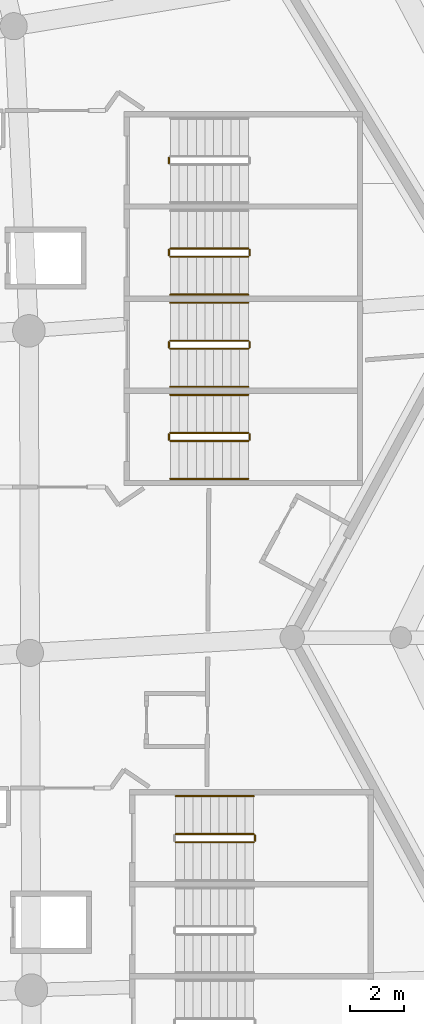
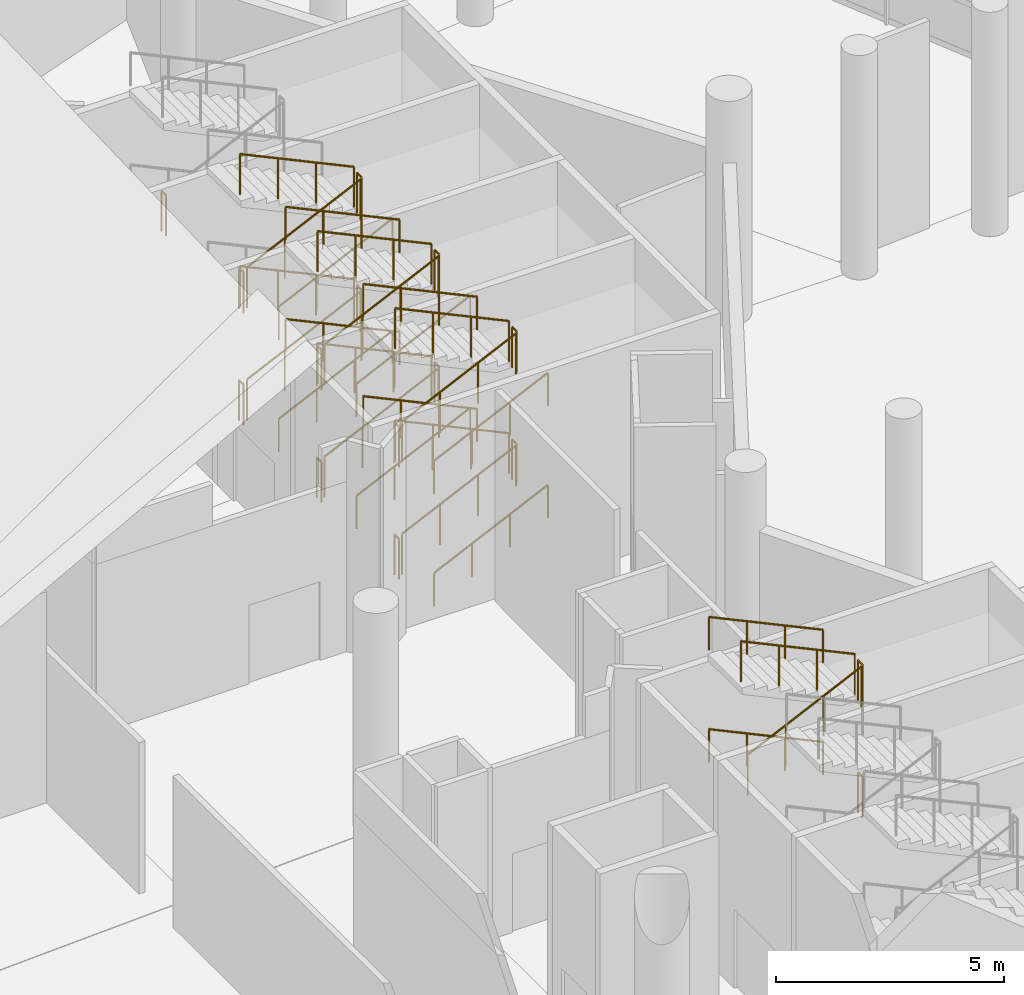
# One storey, part 242 of 249: 41 railings.
"""IFC4 building model written with IfcOpenShell, lengths in metres."""

from ifc_helpers import new_model, si_unit, direction, frame, origin, origin_2d, place, context, subcontext, project, spatial, circle, extrude, material, type_object, element, save


model = new_model("IFC4")

# Units and contexts
model_context = context("Model", 3, precision=1e-05, world=origin(), true_north=direction((0.0, 1.0)))
body_context = subcontext(model_context, "Body", "Model", "MODEL_VIEW")
ifc_project = project(units=[si_unit("LENGTHUNIT", "METRE"), si_unit("AREAUNIT", "SQUARE_METRE"), si_unit("VOLUMEUNIT", "CUBIC_METRE"), si_unit("PLANEANGLEUNIT", "RADIAN"), si_unit("MASSUNIT", "GRAM", prefix="KILO")], contexts=[model_context])

# Site, building, storey
site_placement = place(None, origin())
site = spatial("IfcSite", under=ifc_project, at=site_placement, CompositionType="ELEMENT")
building_placement = place(site_placement, origin())
building = spatial("IfcBuilding", under=site, at=building_placement, Name="Meseta Stadium", CompositionType="ELEMENT")
storey_placement = place(building_placement, frame((0.0, 0.0, 12.0)))
storey = spatial("IfcBuildingStorey", under=building, at=storey_placement, Name="L02", CompositionType="ELEMENT", Elevation=12.0)

# Railings
ifc_material_1 = material(Name="Steel S355", Category="steel")
railing_type_1 = type_object("IfcRailingType", Name="Stair guard 1100", PredefinedType="GUARDRAIL", material=ifc_material_1)
railing_1_placement = place(storey_placement, frame((93.22998046875, 23.75, 1.5)))
element("IfcRailing", 1, at=railing_1_placement, inside=storey, type_object=railing_type_1, Name="ST16 L02 guard 2", PredefinedType="GUARDRAIL", context=body_context, shape_type="SweptSolid", body=[
    extrude(circle(Radius=0.02392578125, at=origin_2d()), frame((0.0, 0.0, 1.076171875), z_axis=(0.0, 1.0, 0.0), x_axis=(-1.0, 0.0, 0.0)), (0.0, 0.0, 1.0), 0.199951171875),
    extrude(circle(Radius=0.02099609375, at=origin_2d()), origin(), (0.0, 0.0, 1.0), 1.052001953125),
    extrude(circle(Radius=0.02099609375, at=origin_2d()), frame((0.0, 0.199951171875, 0.0)), (0.0, 0.0, 1.0), 1.052001953125),
])
railing_2_placement = place(storey_placement, frame((90.300048828125, 23.699951171875, 3.14990234375)))
element("IfcRailing", 2, at=railing_2_placement, inside=storey, type_object=railing_type_1, Name="ST16 L02 guard 5", PredefinedType="GUARDRAIL", context=body_context, shape_type="SweptSolid", body=[
    extrude(circle(Radius=0.02392578125, at=origin_2d()), frame((0.0, 0.0, 1.076171875), z_axis=(0.905440498372, 0.0, 0.424473207528), x_axis=(0.0, 1.0, 0.0)), (0.0, 0.0, 1.0), 3.1806640625),
    extrude(circle(Radius=0.02099609375, at=origin_2d()), origin(), (0.0, 0.0, 1.0), 1.052001953125),
    extrude(circle(Radius=0.02099609375, at=origin_2d()), frame((0.9599609375, 0.0, 0.449951171875)), (0.0, 0.0, 1.0), 1.052001953125),
    extrude(circle(Radius=0.02099609375, at=origin_2d()), frame((1.919921875, 0.0, 0.900146484375)), (0.0, 0.0, 1.0), 1.052001953125),
    extrude(circle(Radius=0.02099609375, at=origin_2d()), frame((2.8798828125, 0.0, 1.35009765625)), (0.0, 0.0, 1.0), 1.052001953125),
])
railing_3_placement = place(storey_placement, frame((93.22998046875, 23.75, 4.5)))
element("IfcRailing", 3, at=railing_3_placement, inside=storey, type_object=railing_type_1, Name="ST16 L02 guard 6", PredefinedType="GUARDRAIL", context=body_context, shape_type="SweptSolid", body=[
    extrude(circle(Radius=0.02392578125, at=origin_2d()), frame((0.0, 0.0, 1.076171875), z_axis=(0.0, 1.0, 0.0), x_axis=(-1.0, 0.0, 0.0)), (0.0, 0.0, 1.0), 0.199951171875),
    extrude(circle(Radius=0.02099609375, at=origin_2d()), origin(), (0.0, 0.0, 1.0), 1.052001953125),
    extrude(circle(Radius=0.02099609375, at=origin_2d()), frame((0.0, 0.199951171875, 0.0)), (0.0, 0.0, 1.0), 1.052001953125),
])
railing_4_placement = place(storey_placement, frame((93.179931640625, 24.0, 4.64990234375)))
element("IfcRailing", 4, at=railing_4_placement, inside=storey, type_object=railing_type_1, Name="ST16 L02 guard 7", PredefinedType="GUARDRAIL", context=body_context, shape_type="SweptSolid", body=[
    extrude(circle(Radius=0.02392578125, at=origin_2d()), frame((0.0, 0.0, 1.076171875), z_axis=(-0.905440498372, 0.0, 0.424473207528), x_axis=(0.0, -1.0, 0.0)), (0.0, 0.0, 1.0), 3.1806640625),
    extrude(circle(Radius=0.02099609375, at=origin_2d()), origin(), (0.0, 0.0, 1.0), 1.052001953125),
    extrude(circle(Radius=0.02099609375, at=origin_2d()), frame((-0.9599609375, 0.0, 0.449951171875)), (0.0, 0.0, 1.0), 1.052001953125),
    extrude(circle(Radius=0.02099609375, at=origin_2d()), frame((-1.919921875, 0.0, 0.900146484375)), (0.0, 0.0, 1.0), 1.052001953125),
    extrude(circle(Radius=0.02099609375, at=origin_2d()), frame((-2.8798828125, 0.0, 1.35009765625)), (0.0, 0.0, 1.0), 1.052001953125),
])
railing_5_placement = place(storey_placement, frame((90.10009765625, 38.5, 0.14990234375)))
element("IfcRailing", 5, at=railing_5_placement, inside=storey, type_object=railing_type_1, Name="ST17 L02 guard 1", PredefinedType="GUARDRAIL", context=body_context, shape_type="SweptSolid", body=[
    extrude(circle(Radius=0.02392578125, at=origin_2d()), frame((0.0, 0.0, 1.076171875), z_axis=(0.905440498372, 0.0, 0.424473207528), x_axis=(0.0, 1.0, 0.0)), (0.0, 0.0, 1.0), 3.1806640625),
    extrude(circle(Radius=0.02099609375, at=origin_2d()), origin(), (0.0, 0.0, 1.0), 1.052001953125),
    extrude(circle(Radius=0.02099609375, at=origin_2d()), frame((0.9599609375, 0.0, 0.449951171875)), (0.0, 0.0, 1.0), 1.052001953125),
    extrude(circle(Radius=0.02099609375, at=origin_2d()), frame((1.919921875, 0.0, 0.900146484375)), (0.0, 0.0, 1.0), 1.052001953125),
    extrude(circle(Radius=0.02099609375, at=origin_2d()), frame((2.8798828125, 0.0, 1.35009765625)), (0.0, 0.0, 1.0), 1.052001953125),
])
railing_6_placement = place(storey_placement, frame((93.030029296875, 38.550048828125, 1.5)))
element("IfcRailing", 6, at=railing_6_placement, inside=storey, type_object=railing_type_1, Name="ST17 L02 guard 2", PredefinedType="GUARDRAIL", context=body_context, shape_type="SweptSolid", body=[
    extrude(circle(Radius=0.02392578125, at=origin_2d()), frame((0.0, 0.0, 1.076171875), z_axis=(0.0, 1.0, 0.0), x_axis=(-1.0, 0.0, 0.0)), (0.0, 0.0, 1.0), 0.199951171875),
    extrude(circle(Radius=0.02099609375, at=origin_2d()), origin(), (0.0, 0.0, 1.0), 1.052001953125),
    extrude(circle(Radius=0.02099609375, at=origin_2d()), frame((0.0, 0.199951171875, 0.0)), (0.0, 0.0, 1.0), 1.052001953125),
])
railing_7_placement = place(storey_placement, frame((92.97998046875, 38.800048828125, 1.64990234375)))
element("IfcRailing", 7, at=railing_7_placement, inside=storey, type_object=railing_type_1, Name="ST17 L02 guard 3", PredefinedType="GUARDRAIL", context=body_context, shape_type="SweptSolid", body=[
    extrude(circle(Radius=0.02392578125, at=origin_2d()), frame((0.0, 0.0, 1.076171875), z_axis=(-0.905440498372, 0.0, 0.424473207528), x_axis=(0.0, -1.0, 0.0)), (0.0, 0.0, 1.0), 3.1806640625),
    extrude(circle(Radius=0.02099609375, at=origin_2d()), origin(), (0.0, 0.0, 1.0), 1.052001953125),
    extrude(circle(Radius=0.02099609375, at=origin_2d()), frame((-0.9599609375, 0.0, 0.449951171875)), (0.0, 0.0, 1.0), 1.052001953125),
    extrude(circle(Radius=0.02099609375, at=origin_2d()), frame((-1.919921875, 0.0, 0.900146484375)), (0.0, 0.0, 1.0), 1.052001953125),
    extrude(circle(Radius=0.02099609375, at=origin_2d()), frame((-2.8798828125, 0.0, 1.35009765625)), (0.0, 0.0, 1.0), 1.052001953125),
])
railing_8_placement = place(storey_placement, frame((90.050048828125, 38.550048828125, 3.0)))
element("IfcRailing", 8, at=railing_8_placement, inside=storey, type_object=railing_type_1, Name="ST17 L02 guard 4", PredefinedType="GUARDRAIL", context=body_context, shape_type="SweptSolid", body=[
    extrude(circle(Radius=0.02392578125, at=origin_2d()), frame((0.0, 0.0, 1.076171875), z_axis=(0.0, 1.0, 0.0), x_axis=(-1.0, 0.0, 0.0)), (0.0, 0.0, 1.0), 0.199951171875),
    extrude(circle(Radius=0.02099609375, at=origin_2d()), origin(), (0.0, 0.0, 1.0), 1.052001953125),
    extrude(circle(Radius=0.02099609375, at=origin_2d()), frame((0.0, 0.199951171875, 0.0)), (0.0, 0.0, 1.0), 1.052001953125),
])
railing_9_placement = place(storey_placement, frame((90.10009765625, 38.5, 3.14990234375)))
element("IfcRailing", 9, at=railing_9_placement, inside=storey, type_object=railing_type_1, Name="ST17 L02 guard 5", PredefinedType="GUARDRAIL", context=body_context, shape_type="SweptSolid", body=[
    extrude(circle(Radius=0.02392578125, at=origin_2d()), frame((0.0, 0.0, 1.076171875), z_axis=(0.905440498372, 0.0, 0.424473207528), x_axis=(0.0, 1.0, 0.0)), (0.0, 0.0, 1.0), 3.1806640625),
    extrude(circle(Radius=0.02099609375, at=origin_2d()), origin(), (0.0, 0.0, 1.0), 1.052001953125),
    extrude(circle(Radius=0.02099609375, at=origin_2d()), frame((0.9599609375, 0.0, 0.449951171875)), (0.0, 0.0, 1.0), 1.052001953125),
    extrude(circle(Radius=0.02099609375, at=origin_2d()), frame((1.919921875, 0.0, 0.900146484375)), (0.0, 0.0, 1.0), 1.052001953125),
    extrude(circle(Radius=0.02099609375, at=origin_2d()), frame((2.8798828125, 0.0, 1.35009765625)), (0.0, 0.0, 1.0), 1.052001953125),
])
railing_10_placement = place(storey_placement, frame((93.030029296875, 38.550048828125, 4.5)))
element("IfcRailing", 10, at=railing_10_placement, inside=storey, type_object=railing_type_1, Name="ST17 L02 guard 6", PredefinedType="GUARDRAIL", context=body_context, shape_type="SweptSolid", body=[
    extrude(circle(Radius=0.02392578125, at=origin_2d()), frame((0.0, 0.0, 1.076171875), z_axis=(0.0, 1.0, 0.0), x_axis=(-1.0, 0.0, 0.0)), (0.0, 0.0, 1.0), 0.199951171875),
    extrude(circle(Radius=0.02099609375, at=origin_2d()), origin(), (0.0, 0.0, 1.0), 1.052001953125),
    extrude(circle(Radius=0.02099609375, at=origin_2d()), frame((0.0, 0.199951171875, 0.0)), (0.0, 0.0, 1.0), 1.052001953125),
])
railing_11_placement = place(storey_placement, frame((92.97998046875, 38.800048828125, 4.64990234375)))
element("IfcRailing", 11, at=railing_11_placement, inside=storey, type_object=railing_type_1, Name="ST17 L02 guard 7", PredefinedType="GUARDRAIL", context=body_context, shape_type="SweptSolid", body=[
    extrude(circle(Radius=0.02392578125, at=origin_2d()), frame((0.0, 0.0, 1.076171875), z_axis=(-0.905440498372, 0.0, 0.424473207528), x_axis=(0.0, -1.0, 0.0)), (0.0, 0.0, 1.0), 3.1806640625),
    extrude(circle(Radius=0.02099609375, at=origin_2d()), origin(), (0.0, 0.0, 1.0), 1.052001953125),
    extrude(circle(Radius=0.02099609375, at=origin_2d()), frame((-0.9599609375, 0.0, 0.449951171875)), (0.0, 0.0, 1.0), 1.052001953125),
    extrude(circle(Radius=0.02099609375, at=origin_2d()), frame((-1.919921875, 0.0, 0.900146484375)), (0.0, 0.0, 1.0), 1.052001953125),
    extrude(circle(Radius=0.02099609375, at=origin_2d()), frame((-2.8798828125, 0.0, 1.35009765625)), (0.0, 0.0, 1.0), 1.052001953125),
])
railing_12_placement = place(storey_placement, frame((90.050048828125, 38.550048828125, 0.0)))
element("IfcRailing", 12, at=railing_12_placement, inside=storey, type_object=railing_type_1, Name="ST17 L02 guard 8", PredefinedType="GUARDRAIL", context=body_context, shape_type="SweptSolid", body=[
    extrude(circle(Radius=0.02392578125, at=origin_2d()), frame((0.0, 0.0, 1.076171875), z_axis=(0.0, 1.0, 0.0), x_axis=(-1.0, 0.0, 0.0)), (0.0, 0.0, 1.0), 0.199951171875),
    extrude(circle(Radius=0.02099609375, at=origin_2d()), origin(), (0.0, 0.0, 1.0), 1.052001953125),
    extrude(circle(Radius=0.02099609375, at=origin_2d()), frame((0.0, 0.199951171875, 0.0)), (0.0, 0.0, 1.0), 1.052001953125),
])
railing_13_placement = place(storey_placement, frame((90.10009765625, 41.89990234375, 0.14990234375)))
element("IfcRailing", 13, at=railing_13_placement, inside=storey, type_object=railing_type_1, Name="ST18 L02 guard 1", PredefinedType="GUARDRAIL", context=body_context, shape_type="SweptSolid", body=[
    extrude(circle(Radius=0.02392578125, at=origin_2d()), frame((0.0, 0.0, 1.076171875), z_axis=(0.905440498372, 0.0, 0.424473207528), x_axis=(0.0, 1.0, 0.0)), (0.0, 0.0, 1.0), 3.1806640625),
    extrude(circle(Radius=0.02099609375, at=origin_2d()), origin(), (0.0, 0.0, 1.0), 1.052001953125),
    extrude(circle(Radius=0.02099609375, at=origin_2d()), frame((0.9599609375, 0.0, 0.449951171875)), (0.0, 0.0, 1.0), 1.052001953125),
    extrude(circle(Radius=0.02099609375, at=origin_2d()), frame((1.919921875, 0.0, 0.900146484375)), (0.0, 0.0, 1.0), 1.052001953125),
    extrude(circle(Radius=0.02099609375, at=origin_2d()), frame((2.8798828125, 0.0, 1.35009765625)), (0.0, 0.0, 1.0), 1.052001953125),
])
railing_14_placement = place(storey_placement, frame((93.030029296875, 41.949951171875, 1.5)))
element("IfcRailing", 14, at=railing_14_placement, inside=storey, type_object=railing_type_1, Name="ST18 L02 guard 2", PredefinedType="GUARDRAIL", context=body_context, shape_type="SweptSolid", body=[
    extrude(circle(Radius=0.02392578125, at=origin_2d()), frame((0.0, 0.0, 1.076171875), z_axis=(0.0, 1.0, 0.0), x_axis=(-1.0, 0.0, 0.0)), (0.0, 0.0, 1.0), 0.199951171875),
    extrude(circle(Radius=0.02099609375, at=origin_2d()), origin(), (0.0, 0.0, 1.0), 1.052001953125),
    extrude(circle(Radius=0.02099609375, at=origin_2d()), frame((0.0, 0.199951171875, 0.0)), (0.0, 0.0, 1.0), 1.052001953125),
])
railing_15_placement = place(storey_placement, frame((92.97998046875, 42.199951171875, 1.64990234375)))
element("IfcRailing", 15, at=railing_15_placement, inside=storey, type_object=railing_type_1, Name="ST18 L02 guard 3", PredefinedType="GUARDRAIL", context=body_context, shape_type="SweptSolid", body=[
    extrude(circle(Radius=0.02392578125, at=origin_2d()), frame((0.0, 0.0, 1.076171875), z_axis=(-0.905440498372, 0.0, 0.424473207528), x_axis=(0.0, -1.0, 0.0)), (0.0, 0.0, 1.0), 3.1806640625),
    extrude(circle(Radius=0.02099609375, at=origin_2d()), origin(), (0.0, 0.0, 1.0), 1.052001953125),
    extrude(circle(Radius=0.02099609375, at=origin_2d()), frame((-0.9599609375, 0.0, 0.449951171875)), (0.0, 0.0, 1.0), 1.052001953125),
    extrude(circle(Radius=0.02099609375, at=origin_2d()), frame((-1.919921875, 0.0, 0.900146484375)), (0.0, 0.0, 1.0), 1.052001953125),
    extrude(circle(Radius=0.02099609375, at=origin_2d()), frame((-2.8798828125, 0.0, 1.35009765625)), (0.0, 0.0, 1.0), 1.052001953125),
])
railing_16_placement = place(storey_placement, frame((90.050048828125, 41.949951171875, 3.0)))
element("IfcRailing", 16, at=railing_16_placement, inside=storey, type_object=railing_type_1, Name="ST18 L02 guard 4", PredefinedType="GUARDRAIL", context=body_context, shape_type="SweptSolid", body=[
    extrude(circle(Radius=0.02392578125, at=origin_2d()), frame((0.0, 0.0, 1.076171875), z_axis=(0.0, 1.0, 0.0), x_axis=(-1.0, 0.0, 0.0)), (0.0, 0.0, 1.0), 0.199951171875),
    extrude(circle(Radius=0.02099609375, at=origin_2d()), origin(), (0.0, 0.0, 1.0), 1.052001953125),
    extrude(circle(Radius=0.02099609375, at=origin_2d()), frame((0.0, 0.199951171875, 0.0)), (0.0, 0.0, 1.0), 1.052001953125),
])
railing_17_placement = place(storey_placement, frame((90.10009765625, 41.89990234375, 3.14990234375)))
element("IfcRailing", 17, at=railing_17_placement, inside=storey, type_object=railing_type_1, Name="ST18 L02 guard 5", PredefinedType="GUARDRAIL", context=body_context, shape_type="SweptSolid", body=[
    extrude(circle(Radius=0.02392578125, at=origin_2d()), frame((0.0, 0.0, 1.076171875), z_axis=(0.905440498372, 0.0, 0.424473207528), x_axis=(0.0, 1.0, 0.0)), (0.0, 0.0, 1.0), 3.1806640625),
    extrude(circle(Radius=0.02099609375, at=origin_2d()), origin(), (0.0, 0.0, 1.0), 1.052001953125),
    extrude(circle(Radius=0.02099609375, at=origin_2d()), frame((0.9599609375, 0.0, 0.449951171875)), (0.0, 0.0, 1.0), 1.052001953125),
    extrude(circle(Radius=0.02099609375, at=origin_2d()), frame((1.919921875, 0.0, 0.900146484375)), (0.0, 0.0, 1.0), 1.052001953125),
    extrude(circle(Radius=0.02099609375, at=origin_2d()), frame((2.8798828125, 0.0, 1.35009765625)), (0.0, 0.0, 1.0), 1.052001953125),
])
railing_18_placement = place(storey_placement, frame((93.030029296875, 41.949951171875, 4.5)))
element("IfcRailing", 18, at=railing_18_placement, inside=storey, type_object=railing_type_1, Name="ST18 L02 guard 6", PredefinedType="GUARDRAIL", context=body_context, shape_type="SweptSolid", body=[
    extrude(circle(Radius=0.02392578125, at=origin_2d()), frame((0.0, 0.0, 1.076171875), z_axis=(0.0, 1.0, 0.0), x_axis=(-1.0, 0.0, 0.0)), (0.0, 0.0, 1.0), 0.199951171875),
    extrude(circle(Radius=0.02099609375, at=origin_2d()), origin(), (0.0, 0.0, 1.0), 1.052001953125),
    extrude(circle(Radius=0.02099609375, at=origin_2d()), frame((0.0, 0.199951171875, 0.0)), (0.0, 0.0, 1.0), 1.052001953125),
])
railing_19_placement = place(storey_placement, frame((92.97998046875, 42.199951171875, 4.64990234375)))
element("IfcRailing", 19, at=railing_19_placement, inside=storey, type_object=railing_type_1, Name="ST18 L02 guard 7", PredefinedType="GUARDRAIL", context=body_context, shape_type="SweptSolid", body=[
    extrude(circle(Radius=0.02392578125, at=origin_2d()), frame((0.0, 0.0, 1.076171875), z_axis=(-0.905440498372, 0.0, 0.424473207528), x_axis=(0.0, -1.0, 0.0)), (0.0, 0.0, 1.0), 3.1806640625),
    extrude(circle(Radius=0.02099609375, at=origin_2d()), origin(), (0.0, 0.0, 1.0), 1.052001953125),
    extrude(circle(Radius=0.02099609375, at=origin_2d()), frame((-0.9599609375, 0.0, 0.449951171875)), (0.0, 0.0, 1.0), 1.052001953125),
    extrude(circle(Radius=0.02099609375, at=origin_2d()), frame((-1.919921875, 0.0, 0.900146484375)), (0.0, 0.0, 1.0), 1.052001953125),
    extrude(circle(Radius=0.02099609375, at=origin_2d()), frame((-2.8798828125, 0.0, 1.35009765625)), (0.0, 0.0, 1.0), 1.052001953125),
])
railing_20_placement = place(storey_placement, frame((90.050048828125, 41.949951171875, 0.0)))
element("IfcRailing", 20, at=railing_20_placement, inside=storey, type_object=railing_type_1, Name="ST18 L02 guard 8", PredefinedType="GUARDRAIL", context=body_context, shape_type="SweptSolid", body=[
    extrude(circle(Radius=0.02392578125, at=origin_2d()), frame((0.0, 0.0, 1.076171875), z_axis=(0.0, 1.0, 0.0), x_axis=(-1.0, 0.0, 0.0)), (0.0, 0.0, 1.0), 0.199951171875),
    extrude(circle(Radius=0.02099609375, at=origin_2d()), origin(), (0.0, 0.0, 1.0), 1.052001953125),
    extrude(circle(Radius=0.02099609375, at=origin_2d()), frame((0.0, 0.199951171875, 0.0)), (0.0, 0.0, 1.0), 1.052001953125),
])
railing_21_placement = place(storey_placement, frame((90.10009765625, 45.300048828125, 0.14990234375)))
element("IfcRailing", 21, at=railing_21_placement, inside=storey, type_object=railing_type_1, Name="ST19 L02 guard 1", PredefinedType="GUARDRAIL", context=body_context, shape_type="SweptSolid", body=[
    extrude(circle(Radius=0.02392578125, at=origin_2d()), frame((0.0, 0.0, 1.076171875), z_axis=(0.905440498372, 0.0, 0.424473207528), x_axis=(0.0, 1.0, 0.0)), (0.0, 0.0, 1.0), 3.1806640625),
    extrude(circle(Radius=0.02099609375, at=origin_2d()), origin(), (0.0, 0.0, 1.0), 1.052001953125),
    extrude(circle(Radius=0.02099609375, at=origin_2d()), frame((0.9599609375, 0.0, 0.449951171875)), (0.0, 0.0, 1.0), 1.052001953125),
    extrude(circle(Radius=0.02099609375, at=origin_2d()), frame((1.919921875, 0.0, 0.900146484375)), (0.0, 0.0, 1.0), 1.052001953125),
    extrude(circle(Radius=0.02099609375, at=origin_2d()), frame((2.8798828125, 0.0, 1.35009765625)), (0.0, 0.0, 1.0), 1.052001953125),
])
railing_22_placement = place(storey_placement, frame((93.030029296875, 45.35009765625, 1.5)))
element("IfcRailing", 22, at=railing_22_placement, inside=storey, type_object=railing_type_1, Name="ST19 L02 guard 2", PredefinedType="GUARDRAIL", context=body_context, shape_type="SweptSolid", body=[
    extrude(circle(Radius=0.02392578125, at=origin_2d()), frame((0.0, 0.0, 1.076171875), z_axis=(0.0, 1.0, 0.0), x_axis=(-1.0, 0.0, 0.0)), (0.0, 0.0, 1.0), 0.199951171875),
    extrude(circle(Radius=0.02099609375, at=origin_2d()), origin(), (0.0, 0.0, 1.0), 1.052001953125),
    extrude(circle(Radius=0.02099609375, at=origin_2d()), frame((0.0, 0.199951171875, 0.0)), (0.0, 0.0, 1.0), 1.052001953125),
])
railing_23_placement = place(storey_placement, frame((92.97998046875, 45.60009765625, 1.64990234375)))
element("IfcRailing", 23, at=railing_23_placement, inside=storey, type_object=railing_type_1, Name="ST19 L02 guard 3", PredefinedType="GUARDRAIL", context=body_context, shape_type="SweptSolid", body=[
    extrude(circle(Radius=0.02392578125, at=origin_2d()), frame((0.0, 0.0, 1.076171875), z_axis=(-0.905440498372, 0.0, 0.424473207528), x_axis=(0.0, -1.0, 0.0)), (0.0, 0.0, 1.0), 3.1806640625),
    extrude(circle(Radius=0.02099609375, at=origin_2d()), origin(), (0.0, 0.0, 1.0), 1.052001953125),
    extrude(circle(Radius=0.02099609375, at=origin_2d()), frame((-0.9599609375, 0.0, 0.449951171875)), (0.0, 0.0, 1.0), 1.052001953125),
    extrude(circle(Radius=0.02099609375, at=origin_2d()), frame((-1.919921875, 0.0, 0.900146484375)), (0.0, 0.0, 1.0), 1.052001953125),
    extrude(circle(Radius=0.02099609375, at=origin_2d()), frame((-2.8798828125, 0.0, 1.35009765625)), (0.0, 0.0, 1.0), 1.052001953125),
])
railing_24_placement = place(storey_placement, frame((90.050048828125, 45.35009765625, 3.0)))
element("IfcRailing", 24, at=railing_24_placement, inside=storey, type_object=railing_type_1, Name="ST19 L02 guard 4", PredefinedType="GUARDRAIL", context=body_context, shape_type="SweptSolid", body=[
    extrude(circle(Radius=0.02392578125, at=origin_2d()), frame((0.0, 0.0, 1.076171875), z_axis=(0.0, 1.0, 0.0), x_axis=(-1.0, 0.0, 0.0)), (0.0, 0.0, 1.0), 0.199951171875),
    extrude(circle(Radius=0.02099609375, at=origin_2d()), origin(), (0.0, 0.0, 1.0), 1.052001953125),
    extrude(circle(Radius=0.02099609375, at=origin_2d()), frame((0.0, 0.199951171875, 0.0)), (0.0, 0.0, 1.0), 1.052001953125),
])
railing_25_placement = place(storey_placement, frame((90.10009765625, 45.300048828125, 3.14990234375)))
element("IfcRailing", 25, at=railing_25_placement, inside=storey, type_object=railing_type_1, Name="ST19 L02 guard 5", PredefinedType="GUARDRAIL", context=body_context, shape_type="SweptSolid", body=[
    extrude(circle(Radius=0.02392578125, at=origin_2d()), frame((0.0, 0.0, 1.076171875), z_axis=(0.905440498372, 0.0, 0.424473207528), x_axis=(0.0, 1.0, 0.0)), (0.0, 0.0, 1.0), 3.1806640625),
    extrude(circle(Radius=0.02099609375, at=origin_2d()), origin(), (0.0, 0.0, 1.0), 1.052001953125),
    extrude(circle(Radius=0.02099609375, at=origin_2d()), frame((0.9599609375, 0.0, 0.449951171875)), (0.0, 0.0, 1.0), 1.052001953125),
    extrude(circle(Radius=0.02099609375, at=origin_2d()), frame((1.919921875, 0.0, 0.900146484375)), (0.0, 0.0, 1.0), 1.052001953125),
    extrude(circle(Radius=0.02099609375, at=origin_2d()), frame((2.8798828125, 0.0, 1.35009765625)), (0.0, 0.0, 1.0), 1.052001953125),
])
railing_26_placement = place(storey_placement, frame((93.030029296875, 45.35009765625, 4.5)))
element("IfcRailing", 26, at=railing_26_placement, inside=storey, type_object=railing_type_1, Name="ST19 L02 guard 6", PredefinedType="GUARDRAIL", context=body_context, shape_type="SweptSolid", body=[
    extrude(circle(Radius=0.02392578125, at=origin_2d()), frame((0.0, 0.0, 1.076171875), z_axis=(0.0, 1.0, 0.0), x_axis=(-1.0, 0.0, 0.0)), (0.0, 0.0, 1.0), 0.199951171875),
    extrude(circle(Radius=0.02099609375, at=origin_2d()), origin(), (0.0, 0.0, 1.0), 1.052001953125),
    extrude(circle(Radius=0.02099609375, at=origin_2d()), frame((0.0, 0.199951171875, 0.0)), (0.0, 0.0, 1.0), 1.052001953125),
])
railing_27_placement = place(storey_placement, frame((92.97998046875, 45.60009765625, 4.64990234375)))
element("IfcRailing", 27, at=railing_27_placement, inside=storey, type_object=railing_type_1, Name="ST19 L02 guard 7", PredefinedType="GUARDRAIL", context=body_context, shape_type="SweptSolid", body=[
    extrude(circle(Radius=0.02392578125, at=origin_2d()), frame((0.0, 0.0, 1.076171875), z_axis=(-0.905440498372, 0.0, 0.424473207528), x_axis=(0.0, -1.0, 0.0)), (0.0, 0.0, 1.0), 3.1806640625),
    extrude(circle(Radius=0.02099609375, at=origin_2d()), origin(), (0.0, 0.0, 1.0), 1.052001953125),
    extrude(circle(Radius=0.02099609375, at=origin_2d()), frame((-0.9599609375, 0.0, 0.449951171875)), (0.0, 0.0, 1.0), 1.052001953125),
    extrude(circle(Radius=0.02099609375, at=origin_2d()), frame((-1.919921875, 0.0, 0.900146484375)), (0.0, 0.0, 1.0), 1.052001953125),
    extrude(circle(Radius=0.02099609375, at=origin_2d()), frame((-2.8798828125, 0.0, 1.35009765625)), (0.0, 0.0, 1.0), 1.052001953125),
])
for number, where, name in (
    (28, (90.050048828125, 45.35009765625, 0.0), "ST19 L02 guard 8"),
    (29, (90.050048828125, 48.75, 3.0), "ST20 L02 guard 4"),
):
    element("IfcRailing", number, at=place(storey_placement, frame(where)), inside=storey, type_object=railing_type_1, Name=name, PredefinedType="GUARDRAIL", context=body_context, shape_type="SweptSolid", body=[
        extrude(circle(Radius=0.02392578125, at=origin_2d()), frame((0.0, 0.0, 1.076171875), z_axis=(0.0, 1.0, 0.0), x_axis=(-1.0, 0.0, 0.0)), (0.0, 0.0, 1.0), 0.199951171875),
        extrude(circle(Radius=0.02099609375, at=origin_2d()), origin(), (0.0, 0.0, 1.0), 1.052001953125),
        extrude(circle(Radius=0.02099609375, at=origin_2d()), frame((0.0, 0.199951171875, 0.0)), (0.0, 0.0, 1.0), 1.052001953125),
    ])
ifc_material_2 = material(Name="Steel S355", Category="steel")
railing_type_2 = type_object("IfcRailingType", Name="Stair handrail 900", PredefinedType="HANDRAIL", material=ifc_material_2)
for number, where, name in (
    (30, (93.179931640625, 25.39990234375, 1.64990234375), "ST16 L02 handrail 2"),
    (31, (93.179931640625, 25.39990234375, 4.64990234375), "ST16 L02 handrail 4"),
):
    element("IfcRailing", number, at=place(storey_placement, frame(where)), inside=storey, type_object=railing_type_2, Name=name, PredefinedType="HANDRAIL", context=body_context, shape_type="SweptSolid", body=[
        extrude(circle(Radius=0.02392578125, at=origin_2d()), frame((0.0, 0.0, 0.8759765625), z_axis=(-0.905440498372, 0.0, 0.424473207528), x_axis=(0.0, -1.0, 0.0)), (0.0, 0.0, 1.0), 3.1806640625),
        extrude(circle(Radius=0.02099609375, at=origin_2d()), origin(), (0.0, 0.0, 1.0), 0.851806640625),
        extrude(circle(Radius=0.02099609375, at=origin_2d()), frame((-0.9599609375, 0.0, 0.449951171875)), (0.0, 0.0, 1.0), 0.851806640625),
        extrude(circle(Radius=0.02099609375, at=origin_2d()), frame((-1.919921875, 0.0, 0.900146484375)), (0.0, 0.0, 1.0), 0.851806640625),
        extrude(circle(Radius=0.02099609375, at=origin_2d()), frame((-2.8798828125, 0.0, 1.35009765625)), (0.0, 0.0, 1.0), 0.851806640625),
    ])
railing_28_placement = place(storey_placement, frame((90.10009765625, 37.10009765625, 0.14990234375)))
element("IfcRailing", 32, at=railing_28_placement, inside=storey, type_object=railing_type_2, Name="ST17 L02 handrail 1", PredefinedType="HANDRAIL", context=body_context, shape_type="SweptSolid", body=[
    extrude(circle(Radius=0.02392578125, at=origin_2d()), frame((0.0, 0.0, 0.8759765625), z_axis=(0.905440498372, 0.0, 0.424473207528), x_axis=(0.0, 1.0, 0.0)), (0.0, 0.0, 1.0), 3.1806640625),
    extrude(circle(Radius=0.02099609375, at=origin_2d()), origin(), (0.0, 0.0, 1.0), 0.851806640625),
    extrude(circle(Radius=0.02099609375, at=origin_2d()), frame((0.9599609375, 0.0, 0.449951171875)), (0.0, 0.0, 1.0), 0.851806640625),
    extrude(circle(Radius=0.02099609375, at=origin_2d()), frame((1.919921875, 0.0, 0.900146484375)), (0.0, 0.0, 1.0), 0.851806640625),
    extrude(circle(Radius=0.02099609375, at=origin_2d()), frame((2.8798828125, 0.0, 1.35009765625)), (0.0, 0.0, 1.0), 0.851806640625),
])
railing_29_placement = place(storey_placement, frame((92.97998046875, 40.199951171875, 1.64990234375)))
element("IfcRailing", 33, at=railing_29_placement, inside=storey, type_object=railing_type_2, Name="ST17 L02 handrail 2", PredefinedType="HANDRAIL", context=body_context, shape_type="SweptSolid", body=[
    extrude(circle(Radius=0.02392578125, at=origin_2d()), frame((0.0, 0.0, 0.8759765625), z_axis=(-0.905440498372, 0.0, 0.424473207528), x_axis=(0.0, -1.0, 0.0)), (0.0, 0.0, 1.0), 3.1806640625),
    extrude(circle(Radius=0.02099609375, at=origin_2d()), origin(), (0.0, 0.0, 1.0), 0.851806640625),
    extrude(circle(Radius=0.02099609375, at=origin_2d()), frame((-0.9599609375, 0.0, 0.449951171875)), (0.0, 0.0, 1.0), 0.851806640625),
    extrude(circle(Radius=0.02099609375, at=origin_2d()), frame((-1.919921875, 0.0, 0.900146484375)), (0.0, 0.0, 1.0), 0.851806640625),
    extrude(circle(Radius=0.02099609375, at=origin_2d()), frame((-2.8798828125, 0.0, 1.35009765625)), (0.0, 0.0, 1.0), 0.851806640625),
])
railing_30_placement = place(storey_placement, frame((90.10009765625, 37.10009765625, 3.14990234375)))
element("IfcRailing", 34, at=railing_30_placement, inside=storey, type_object=railing_type_2, Name="ST17 L02 handrail 3", PredefinedType="HANDRAIL", context=body_context, shape_type="SweptSolid", body=[
    extrude(circle(Radius=0.02392578125, at=origin_2d()), frame((0.0, 0.0, 0.8759765625), z_axis=(0.905440498372, 0.0, 0.424473207528), x_axis=(0.0, 1.0, 0.0)), (0.0, 0.0, 1.0), 3.1806640625),
    extrude(circle(Radius=0.02099609375, at=origin_2d()), origin(), (0.0, 0.0, 1.0), 0.851806640625),
    extrude(circle(Radius=0.02099609375, at=origin_2d()), frame((0.9599609375, 0.0, 0.449951171875)), (0.0, 0.0, 1.0), 0.851806640625),
    extrude(circle(Radius=0.02099609375, at=origin_2d()), frame((1.919921875, 0.0, 0.900146484375)), (0.0, 0.0, 1.0), 0.851806640625),
    extrude(circle(Radius=0.02099609375, at=origin_2d()), frame((2.8798828125, 0.0, 1.35009765625)), (0.0, 0.0, 1.0), 0.851806640625),
])
railing_31_placement = place(storey_placement, frame((92.97998046875, 40.199951171875, 4.64990234375)))
element("IfcRailing", 35, at=railing_31_placement, inside=storey, type_object=railing_type_2, Name="ST17 L02 handrail 4", PredefinedType="HANDRAIL", context=body_context, shape_type="SweptSolid", body=[
    extrude(circle(Radius=0.02392578125, at=origin_2d()), frame((0.0, 0.0, 0.8759765625), z_axis=(-0.905440498372, 0.0, 0.424473207528), x_axis=(0.0, -1.0, 0.0)), (0.0, 0.0, 1.0), 3.1806640625),
    extrude(circle(Radius=0.02099609375, at=origin_2d()), origin(), (0.0, 0.0, 1.0), 0.851806640625),
    extrude(circle(Radius=0.02099609375, at=origin_2d()), frame((-0.9599609375, 0.0, 0.449951171875)), (0.0, 0.0, 1.0), 0.851806640625),
    extrude(circle(Radius=0.02099609375, at=origin_2d()), frame((-1.919921875, 0.0, 0.900146484375)), (0.0, 0.0, 1.0), 0.851806640625),
    extrude(circle(Radius=0.02099609375, at=origin_2d()), frame((-2.8798828125, 0.0, 1.35009765625)), (0.0, 0.0, 1.0), 0.851806640625),
])
railing_32_placement = place(storey_placement, frame((90.10009765625, 40.5, 0.14990234375)))
element("IfcRailing", 36, at=railing_32_placement, inside=storey, type_object=railing_type_2, Name="ST18 L02 handrail 1", PredefinedType="HANDRAIL", context=body_context, shape_type="SweptSolid", body=[
    extrude(circle(Radius=0.02392578125, at=origin_2d()), frame((0.0, 0.0, 0.8759765625), z_axis=(0.905440498372, 0.0, 0.424473207528), x_axis=(0.0, 1.0, 0.0)), (0.0, 0.0, 1.0), 3.1806640625),
    extrude(circle(Radius=0.02099609375, at=origin_2d()), origin(), (0.0, 0.0, 1.0), 0.851806640625),
    extrude(circle(Radius=0.02099609375, at=origin_2d()), frame((0.9599609375, 0.0, 0.449951171875)), (0.0, 0.0, 1.0), 0.851806640625),
    extrude(circle(Radius=0.02099609375, at=origin_2d()), frame((1.919921875, 0.0, 0.900146484375)), (0.0, 0.0, 1.0), 0.851806640625),
    extrude(circle(Radius=0.02099609375, at=origin_2d()), frame((2.8798828125, 0.0, 1.35009765625)), (0.0, 0.0, 1.0), 0.851806640625),
])
railing_33_placement = place(storey_placement, frame((92.97998046875, 43.60009765625, 1.64990234375)))
element("IfcRailing", 37, at=railing_33_placement, inside=storey, type_object=railing_type_2, Name="ST18 L02 handrail 2", PredefinedType="HANDRAIL", context=body_context, shape_type="SweptSolid", body=[
    extrude(circle(Radius=0.02392578125, at=origin_2d()), frame((0.0, 0.0, 0.8759765625), z_axis=(-0.905440498372, 0.0, 0.424473207528), x_axis=(0.0, -1.0, 0.0)), (0.0, 0.0, 1.0), 3.1806640625),
    extrude(circle(Radius=0.02099609375, at=origin_2d()), origin(), (0.0, 0.0, 1.0), 0.851806640625),
    extrude(circle(Radius=0.02099609375, at=origin_2d()), frame((-0.9599609375, 0.0, 0.449951171875)), (0.0, 0.0, 1.0), 0.851806640625),
    extrude(circle(Radius=0.02099609375, at=origin_2d()), frame((-1.919921875, 0.0, 0.900146484375)), (0.0, 0.0, 1.0), 0.851806640625),
    extrude(circle(Radius=0.02099609375, at=origin_2d()), frame((-2.8798828125, 0.0, 1.35009765625)), (0.0, 0.0, 1.0), 0.851806640625),
])
railing_34_placement = place(storey_placement, frame((90.10009765625, 40.5, 3.14990234375)))
element("IfcRailing", 38, at=railing_34_placement, inside=storey, type_object=railing_type_2, Name="ST18 L02 handrail 3", PredefinedType="HANDRAIL", context=body_context, shape_type="SweptSolid", body=[
    extrude(circle(Radius=0.02392578125, at=origin_2d()), frame((0.0, 0.0, 0.8759765625), z_axis=(0.905440498372, 0.0, 0.424473207528), x_axis=(0.0, 1.0, 0.0)), (0.0, 0.0, 1.0), 3.1806640625),
    extrude(circle(Radius=0.02099609375, at=origin_2d()), origin(), (0.0, 0.0, 1.0), 0.851806640625),
    extrude(circle(Radius=0.02099609375, at=origin_2d()), frame((0.9599609375, 0.0, 0.449951171875)), (0.0, 0.0, 1.0), 0.851806640625),
    extrude(circle(Radius=0.02099609375, at=origin_2d()), frame((1.919921875, 0.0, 0.900146484375)), (0.0, 0.0, 1.0), 0.851806640625),
    extrude(circle(Radius=0.02099609375, at=origin_2d()), frame((2.8798828125, 0.0, 1.35009765625)), (0.0, 0.0, 1.0), 0.851806640625),
])
railing_35_placement = place(storey_placement, frame((92.97998046875, 43.60009765625, 4.64990234375)))
element("IfcRailing", 39, at=railing_35_placement, inside=storey, type_object=railing_type_2, Name="ST18 L02 handrail 4", PredefinedType="HANDRAIL", context=body_context, shape_type="SweptSolid", body=[
    extrude(circle(Radius=0.02392578125, at=origin_2d()), frame((0.0, 0.0, 0.8759765625), z_axis=(-0.905440498372, 0.0, 0.424473207528), x_axis=(0.0, -1.0, 0.0)), (0.0, 0.0, 1.0), 3.1806640625),
    extrude(circle(Radius=0.02099609375, at=origin_2d()), origin(), (0.0, 0.0, 1.0), 0.851806640625),
    extrude(circle(Radius=0.02099609375, at=origin_2d()), frame((-0.9599609375, 0.0, 0.449951171875)), (0.0, 0.0, 1.0), 0.851806640625),
    extrude(circle(Radius=0.02099609375, at=origin_2d()), frame((-1.919921875, 0.0, 0.900146484375)), (0.0, 0.0, 1.0), 0.851806640625),
    extrude(circle(Radius=0.02099609375, at=origin_2d()), frame((-2.8798828125, 0.0, 1.35009765625)), (0.0, 0.0, 1.0), 0.851806640625),
])
for number, where, name in (
    (40, (90.10009765625, 43.89990234375, 0.14990234375), "ST19 L02 handrail 1"),
    (41, (90.10009765625, 43.89990234375, 3.14990234375), "ST19 L02 handrail 3"),
):
    element("IfcRailing", number, at=place(storey_placement, frame(where)), inside=storey, type_object=railing_type_2, Name=name, PredefinedType="HANDRAIL", context=body_context, shape_type="SweptSolid", body=[
        extrude(circle(Radius=0.02392578125, at=origin_2d()), frame((0.0, 0.0, 0.8759765625), z_axis=(0.905440498372, 0.0, 0.424473207528), x_axis=(0.0, 1.0, 0.0)), (0.0, 0.0, 1.0), 3.1806640625),
        extrude(circle(Radius=0.02099609375, at=origin_2d()), origin(), (0.0, 0.0, 1.0), 0.851806640625),
        extrude(circle(Radius=0.02099609375, at=origin_2d()), frame((0.9599609375, 0.0, 0.449951171875)), (0.0, 0.0, 1.0), 0.851806640625),
        extrude(circle(Radius=0.02099609375, at=origin_2d()), frame((1.919921875, 0.0, 0.900146484375)), (0.0, 0.0, 1.0), 0.851806640625),
        extrude(circle(Radius=0.02099609375, at=origin_2d()), frame((2.8798828125, 0.0, 1.35009765625)), (0.0, 0.0, 1.0), 0.851806640625),
    ])

save(model, "model.ifc")
